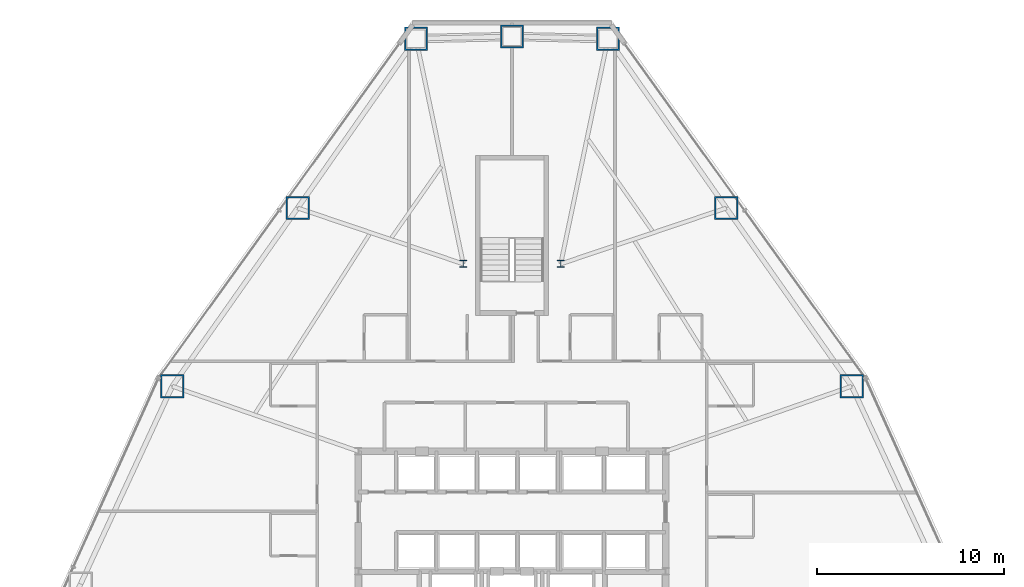
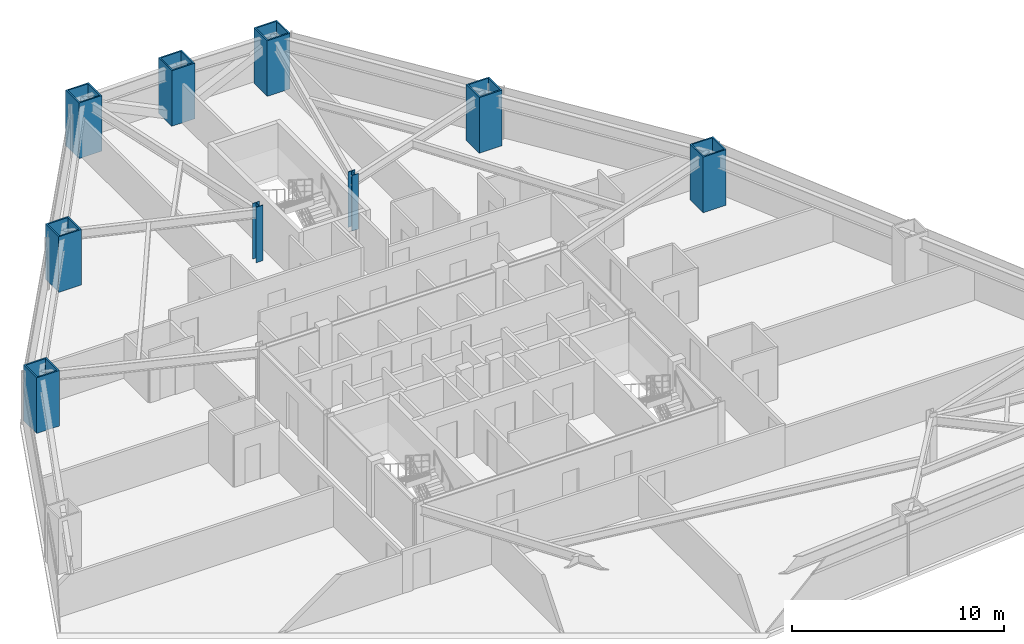
# One storey, part 3 of 12: 9 columns.
"""IFC4 building model written with IfcOpenShell, lengths in metres."""

from ifc_helpers import new_model, si_unit, direction, frame, origin, origin_2d, place, context, subcontext, project, spatial, hollow_rectangle, i_section, extrude, material, material_profile, profile_set, type_object, element, save


model = new_model("IFC4")

# Units and contexts
model_context = context("Model", 3, precision=1e-05, world=origin(), true_north=direction((0.0, 1.0)))
body_context = subcontext(model_context, "Body", "Model", "MODEL_VIEW")
ifc_project = project(units=[si_unit("LENGTHUNIT", "METRE"), si_unit("AREAUNIT", "SQUARE_METRE"), si_unit("VOLUMEUNIT", "CUBIC_METRE"), si_unit("PLANEANGLEUNIT", "RADIAN"), si_unit("MASSUNIT", "GRAM", prefix="KILO")], contexts=[model_context])

# Site, building, storey
site_placement = place(None, origin())
site = spatial("IfcSite", under=ifc_project, at=site_placement, CompositionType="ELEMENT")
building_placement = place(site_placement, origin())
building = spatial("IfcBuilding", under=site, at=building_placement, Name="Varakhsha Concourse Tower", CompositionType="ELEMENT")
storey_placement = place(building_placement, frame((0.0, 0.0, 30.39990234375)))
storey = spatial("IfcBuildingStorey", under=building, at=storey_placement, Name="L07", CompositionType="ELEMENT", Elevation=30.39990234375)

# Columns
ifc_material_1 = material(Name="Structural Steel ASTM A992 Grade 50", Category="steel")
ifc_material_profile_1 = material_profile(ifc_material_1, i_section(OverallWidth=0.3740234375, OverallDepth=0.3720703125, WebThickness=0.01611328125, FlangeThickness=0.02587890625, at=origin_2d()), Name="W14X132")
ifc_profile_set_1 = profile_set([ifc_material_profile_1], Name="Structural Steel ASTM A992 Grade 50")
column_type_1 = type_object("IfcColumnType", Name="CL-CORE-W14X132", PredefinedType="COLUMN", material=ifc_profile_set_1)
for number, where, z_axis, x_axis, name in (
    (1, (37.39990234375, 41.199951171875, 0.0), (0.0, 0.0, 1.0), (1.0, 0.0, 0.0), "L07 Core Column NS-W"),
    (2, (42.60009765625, 41.199951171875, 0.0), (0.0, 0.0, 1.0), (1.0, 0.0, 0.0), "L07 Core Column NS-E"),
):
    element("IfcColumn", number, at=place(storey_placement, frame(where, z_axis=z_axis, x_axis=x_axis)), inside=storey, type_object=column_type_1, Name=name, PredefinedType="COLUMN", context=body_context, shape_type="SweptSolid", body=[
        extrude(i_section(OverallWidth=0.3740234375, OverallDepth=0.3720703125, WebThickness=0.01611328125, FlangeThickness=0.02587890625, at=origin_2d()), origin(), (0.0, 0.0, 1.0), 3.2001953125),
    ])
ifc_material_2 = material(Name="Structural Steel ASTM A572 Grade 50", Category="steel")
ifc_material_profile_2 = material_profile(ifc_material_2, hollow_rectangle(XDim=1.25, YDim=1.25, WallThickness=0.080078125, at=origin_2d()), Name="BOX 1250x1250x80")
ifc_profile_set_2 = profile_set([ifc_material_profile_2], Name="Structural Steel ASTM A572 Grade 50")
column_type_2 = type_object("IfcColumnType", Name="CL-TUBE-1250", PredefinedType="COLUMN", material=ifc_profile_set_2)
for number, where, z_axis, x_axis, name in (
    (3, (45.1240234375, 53.223388671875, 0.0), (0.0, 0.0, 1.0), (1.0, 0.0, 0.0), "L07 Framed-Tube Column TC01"),
    (4, (40.0, 53.340087890625, 0.0), (0.0, 0.0, 1.0), (1.0, 0.0, 0.0), "L07 Framed-Tube Column TC02"),
    (5, (34.8759765625, 53.223388671875, 0.0), (0.0, 0.0, 1.0), (1.0, 0.0, 0.0), "L07 Framed-Tube Column TC03"),
    (6, (28.55859375, 44.183837890625, 0.0), (0.0, 0.0, 1.0), (1.0, 0.0, 0.0), "L07 Framed-Tube Column TC04"),
    (7, (21.865478515625, 34.669921875, 0.0), (0.0, 0.0, 1.0), (1.0, 0.0, 0.0), "L07 Framed-Tube Column TC05"),
    (8, (58.134521484375, 34.669921875, 0.0), (0.0, 0.0, 1.0), (1.0, 0.0, 0.0), "L07 Framed-Tube Column TC17"),
    (9, (51.44140625, 44.183837890625, 0.0), (0.0, 0.0, 1.0), (1.0, 0.0, 0.0), "L07 Framed-Tube Column TC18"),
):
    element("IfcColumn", number, at=place(storey_placement, frame(where, z_axis=z_axis, x_axis=x_axis)), inside=storey, type_object=column_type_2, Name=name, PredefinedType="COLUMN", context=body_context, shape_type="SweptSolid", body=[
        extrude(hollow_rectangle(XDim=1.25, YDim=1.25, WallThickness=0.080078125, at=origin_2d()), origin(), (0.0, 0.0, 1.0), 3.2001953125),
    ])

save(model, "model.ifc")
